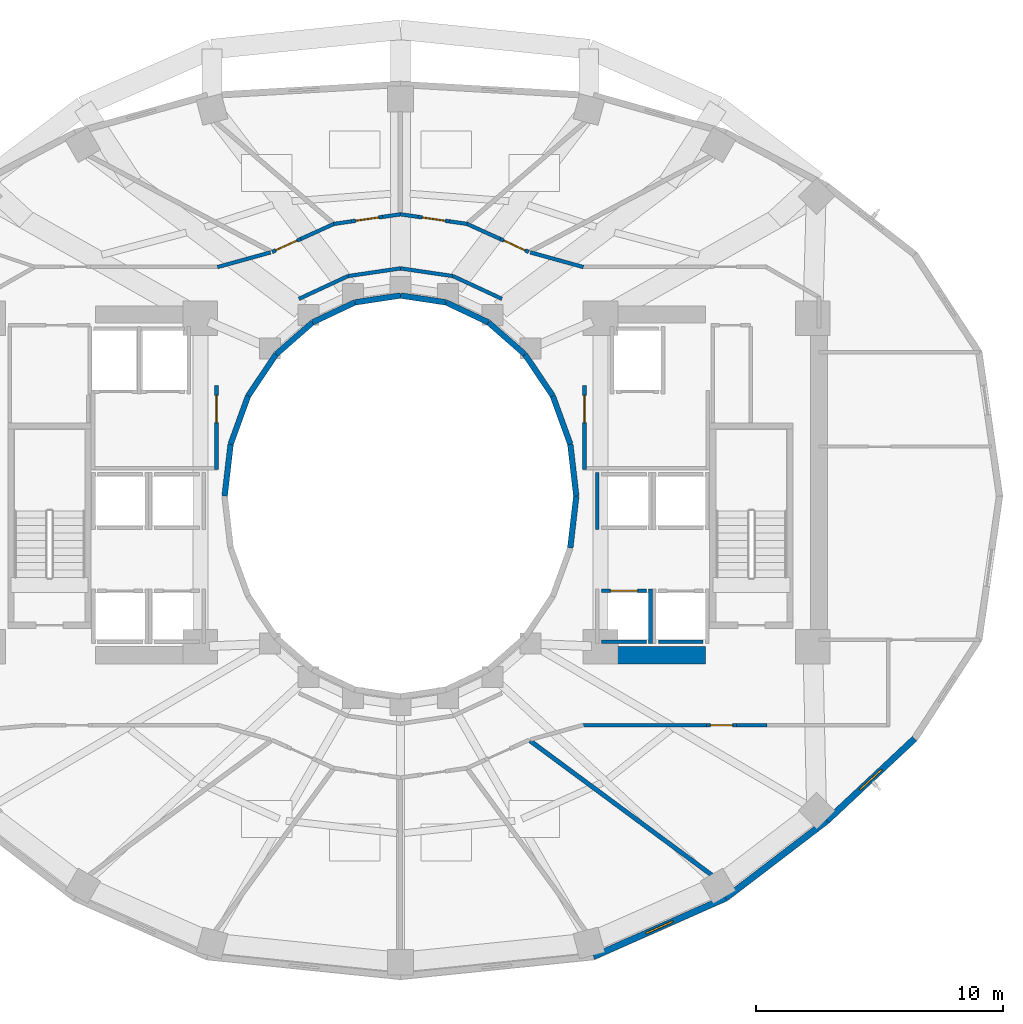
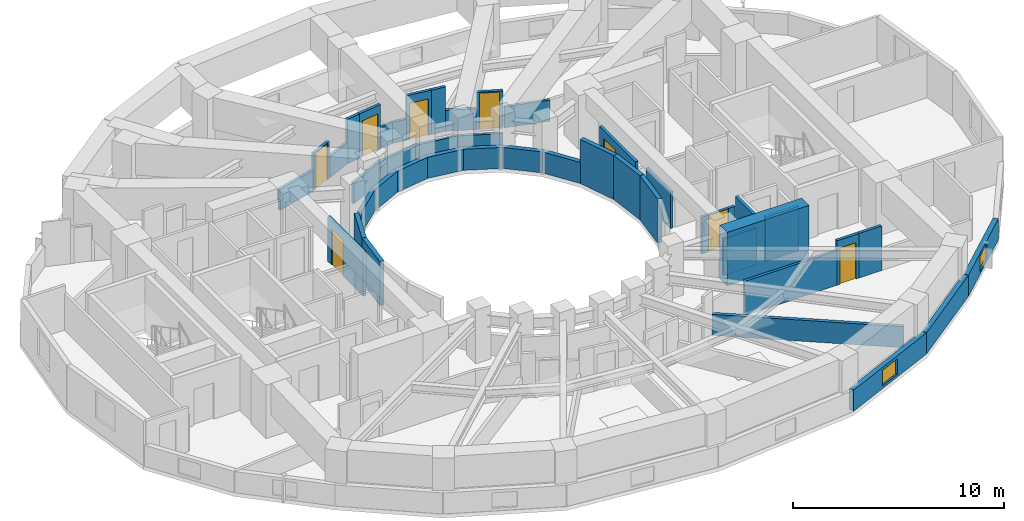
# One storey, part 5 of 10: 44 walls, 8 doors, 2 windows, 10 openings.
"""IFC4 building model written with IfcOpenShell, lengths in metres."""

from ifc_helpers import new_model, si_unit, direction, frame, frame_2d, origin, place, context, subcontext, project, spatial, rectangle, extrude, material, layer, layer_set, type_object, element, fill, save


model = new_model("IFC4")

# Units and contexts
model_context = context("Model", 3, precision=1e-05, world=origin(), true_north=direction((0.0, 1.0)))
body_context = subcontext(model_context, "Body", "Model", "MODEL_VIEW")
ifc_project = project(units=[si_unit("LENGTHUNIT", "METRE"), si_unit("AREAUNIT", "SQUARE_METRE"), si_unit("VOLUMEUNIT", "CUBIC_METRE"), si_unit("PLANEANGLEUNIT", "RADIAN"), si_unit("MASSUNIT", "GRAM", prefix="KILO")], contexts=[model_context])

# Site, building, storey
site_placement = place(None, origin())
site = spatial("IfcSite", under=ifc_project, at=site_placement, CompositionType="ELEMENT")
building_placement = place(site_placement, origin())
building = spatial("IfcBuilding", under=site, at=building_placement, Name="Solvane Sanctuary Tower", CompositionType="ELEMENT")
storey_placement = place(building_placement, frame((0.0, 0.0, 101.10009765625)))
storey = spatial("IfcBuildingStorey", under=building, at=storey_placement, Name="L30", CompositionType="ELEMENT", Elevation=101.10009765625)

# Wall
ifc_material_1 = material(Name="Concrete C60/75", Category="concrete")
ifc_layer_1 = layer(ifc_material_1, 0.699951171875, Name="Concrete C60/75")
ifc_layer_set_1 = layer_set([ifc_layer_1], Name="Concrete C60/75")
wall_type_1 = type_object("IfcWallType", Name="Wall W-CORE-700", PredefinedType="SHEAR", material=ifc_layer_set_1)
wall_1_placement = place(storey_placement, frame((39.85009765625, 16.550048828125, 0.0), z_axis=(0.0, 0.0, 1.0), x_axis=(1.0, 0.0, 0.0)))
element("IfcWall", 1, at=wall_1_placement, inside=storey, type_object=wall_type_1, Name="L30 Core Shear Wall EC-S", PredefinedType="SHEAR", context=body_context, shape_type="SweptSolid", body=[
    extrude(rectangle(XDim=4.5, YDim=0.699951171875, at=frame_2d((2.25, 0.0))), origin(), (0.0, 0.0, 1.0), 3.099853515625),
])

# Wall, opening, door
ifc_material_2 = material(Name="Acoustic Gypsum Partition Board")
ifc_layer_2 = layer(ifc_material_2, 0.14990234375, Name="Acoustic Gypsum Partition Board")
ifc_layer_set_2 = layer_set([ifc_layer_2], Name="Acoustic Gypsum Partition Board")
wall_type_2 = type_object("IfcWallType", Name="Wall W-CORR-150", PredefinedType="PARTITIONING", material=ifc_layer_set_2)
wall_2_placement = place(storey_placement, frame((24.550048828125, 24.080078125, 0.0), z_axis=(0.0, 0.0, 1.0), x_axis=(0.0, 1.0, 0.0)))
wall_2 = element("IfcWall", 2, at=wall_2_placement, inside=storey, type_object=wall_type_2, Name="L30 West Firefighting Lobby East Wall", PredefinedType="PARTITIONING", context=body_context, shape_type="SweptSolid", body=[
    extrude(rectangle(XDim=3.39990234375, YDim=0.14990234375, at=frame_2d((1.699951171875, 0.0))), origin(), (0.0, 0.0, 1.0), 2.574951171875),
])
opening_1_placement = place(wall_2_placement, frame((1.893798828125, 0.0, 0.0)))
opening_1 = element("IfcOpeningElement", 3, at=opening_1_placement, cuts=wall_2, Name="Opening D-L30-04", PredefinedType="OPENING", context=body_context, shape_type="SweptSolid", body=[
    extrude(rectangle(XDim=1.10009765625, YDim=2.10009765625, at=frame_2d((0.550048828125, 1.050048828125))), frame((0.0, 0.0849609375, 0.0), z_axis=(0.0, -1.0, 0.0), x_axis=(1.0, 0.0, 0.0)), (0.0, 0.0, 1.0), 0.169921875),
])
ifc_material_3 = material(Name="Architectural Stainless Steel 316", Category="steel")
door_type_1 = type_object("IfcDoorType", Name="Door D-FFL", OperationType="NOTDEFINED", PredefinedType="DOOR", material=ifc_material_3)
door_1_placement = place(opening_1_placement, origin())
door_1 = element("IfcDoor", 4, at=door_1_placement, inside=storey, type_object=door_type_1, Name="L30 West Firefighting Lobby Fire Door", OperationType="SINGLE_SWING_LEFT", OverallHeight=2.10009765625, OverallWidth=1.10009765625, PredefinedType="DOOR", context=body_context, shape_type="SweptSolid", body=[
    extrude(rectangle(XDim=1.10009765625, YDim=2.10009765625, at=frame_2d((0.550048828125, 1.050048828125))), frame((0.0, 0.02490234375, 0.0), z_axis=(0.0, -1.0, 0.0), x_axis=(1.0, 0.0, 0.0)), (0.0, 0.0, 1.0), 0.050048828125),
])
fill(opening_1, door_1)

wall_3_placement = place(storey_placement, frame((39.449951171875, 24.080078125, 0.0), z_axis=(0.0, 0.0, 1.0), x_axis=(0.0, 1.0, 0.0)))
wall_3 = element("IfcWall", 5, at=wall_3_placement, inside=storey, type_object=wall_type_2, Name="L30 East Firefighting Lobby West Wall", PredefinedType="PARTITIONING", context=body_context, shape_type="SweptSolid", body=[
    extrude(rectangle(XDim=3.39990234375, YDim=0.14990234375, at=frame_2d((1.699951171875, 0.0))), origin(), (0.0, 0.0, 1.0), 2.574951171875),
])
opening_2_placement = place(wall_3_placement, frame((1.893798828125, 0.0, 0.0)))
opening_2 = element("IfcOpeningElement", 6, at=opening_2_placement, cuts=wall_3, Name="Opening D-L30-05", PredefinedType="OPENING", context=body_context, shape_type="SweptSolid", body=[
    extrude(rectangle(XDim=1.10009765625, YDim=2.10009765625, at=frame_2d((0.550048828125, 1.050048828125))), frame((0.0, 0.0849609375, 0.0), z_axis=(0.0, -1.0, 0.0), x_axis=(1.0, 0.0, 0.0)), (0.0, 0.0, 1.0), 0.169921875),
])
door_2_placement = place(opening_2_placement, origin())
door_2 = element("IfcDoor", 7, at=door_2_placement, inside=storey, type_object=door_type_1, Name="L30 East Firefighting Lobby Fire Door", OperationType="SINGLE_SWING_RIGHT", OverallHeight=2.10009765625, OverallWidth=1.10009765625, PredefinedType="DOOR", context=body_context, shape_type="SweptSolid", body=[
    extrude(rectangle(XDim=1.10009765625, YDim=2.10009765625, at=frame_2d((0.550048828125, 1.050048828125))), frame((0.0, 0.02490234375, 0.0), z_axis=(0.0, -1.0, 0.0), x_axis=(1.0, 0.0, 0.0)), (0.0, 0.0, 1.0), 0.050048828125),
])
fill(opening_2, door_2)

# Walls
wall_4_placement = place(storey_placement, frame((36.110107421875, 30.98486328125, 0.0), z_axis=(0.0, 0.0, 1.0), x_axis=(-0.906943449489, 0.421252393975, 0.0)))
element("IfcWall", 8, at=wall_4_placement, inside=storey, type_object=wall_type_2, Name="L30 Light-Well Corridor Rim Wall N1", PredefinedType="PARTITIONING", context=body_context, shape_type="SweptSolid", body=[
    extrude(rectangle(XDim=2.18603515625, YDim=0.14990234375, at=frame_2d((1.093017578125, 0.0))), origin(), (0.0, 0.0, 1.0), 1.219970703125),
])
for number, where, z_axis, x_axis, name in (
    (9, (34.12744140625, 31.90576171875, 0.0), (0.0, 0.0, 1.0), (-0.989268584896, 0.146108408166, 0.0), "L30 Light-Well Corridor Rim Wall N2"),
    (10, (32.0, 32.219970703125, 0.0), (0.0, 0.0, 1.0), (-0.989268584896, -0.146108408166, 0.0), "L30 Light-Well Corridor Rim Wall N3"),
):
    element("IfcWall", number, at=place(storey_placement, frame(where, z_axis=z_axis, x_axis=x_axis)), inside=storey, type_object=wall_type_2, Name=name, PredefinedType="PARTITIONING", context=body_context, shape_type="SweptSolid", body=[
        extrude(rectangle(XDim=2.150634765625, YDim=0.14990234375, at=frame_2d((1.0751953125, 0.0))), origin(), (0.0, 0.0, 1.0), 1.219970703125),
    ])
wall_5_placement = place(storey_placement, frame((29.87255859375, 31.90576171875, 0.0), z_axis=(0.0, 0.0, 1.0), x_axis=(-0.906943449489, -0.421252393975, 0.0)))
element("IfcWall", 11, at=wall_5_placement, inside=storey, type_object=wall_type_2, Name="L30 Light-Well Corridor Rim Wall N4", PredefinedType="PARTITIONING", context=body_context, shape_type="SweptSolid", body=[
    extrude(rectangle(XDim=2.18603515625, YDim=0.14990234375, at=frame_2d((1.093017578125, 0.0))), origin(), (0.0, 0.0, 1.0), 1.219970703125),
])
for number, where, z_axis, x_axis, name in (
    (12, (37.258056640625, 32.86669921875, 0.0), (0.0, 0.0, 1.0), (0.963833843713, -0.266503886865, 0.0), "L30 NE Corner Throat Wall"),
    (13, (26.741943359375, 32.86669921875, 0.0), (0.0, 0.0, 1.0), (-0.963833843713, -0.266503886865, 0.0), "L30 NW Corner Throat Wall"),
):
    element("IfcWall", number, at=place(storey_placement, frame(where, z_axis=z_axis, x_axis=x_axis)), inside=storey, type_object=wall_type_2, Name=name, PredefinedType="PARTITIONING", context=body_context, shape_type="SweptSolid", body=[
        extrude(rectangle(XDim=2.231689453125, YDim=0.14990234375, at=frame_2d((1.11572265625, 0.0))), origin(), (0.0, 0.0, 1.0), 1.219970703125),
    ])
wall_6_placement = place(storey_placement, frame((39.330078125, 13.719970703125, 0.0), z_axis=(0.0, 0.0, 1.0), x_axis=(1.0, 0.0, 0.0)))
element("IfcWall", 14, at=wall_6_placement, inside=storey, type_object=wall_type_2, Name="L30 SE Corner Corridor Wall", PredefinedType="PARTITIONING", context=body_context, shape_type="SweptSolid", body=[
    extrude(rectangle(XDim=5.059814453125, YDim=0.14990234375, at=frame_2d((2.52978515625, 0.0))), origin(), (0.0, 0.0, 1.0), 1.991943359375),
])

# Wall, opening, door
wall_7_placement = place(storey_placement, frame((44.389892578125, 13.719970703125, 0.0), z_axis=(0.0, 0.0, 1.0), x_axis=(1.0, 0.0, 0.0)))
wall_7 = element("IfcWall", 15, at=wall_7_placement, inside=storey, type_object=wall_type_2, Name="L30 SE Corner Corridor Wall", PredefinedType="PARTITIONING", context=body_context, shape_type="SweptSolid", body=[
    extrude(rectangle(XDim=1.22021484375, YDim=0.14990234375, at=frame_2d((0.610107421875, 0.0))), origin(), (0.0, 0.0, 1.0), 2.574951171875),
])
opening_3_placement = place(wall_7_placement, frame((0.159912109375, 0.0, 0.0)))
opening_3 = element("IfcOpeningElement", 16, at=opening_3_placement, cuts=wall_7, Name="Opening D-L30-15", PredefinedType="OPENING", context=body_context, shape_type="SweptSolid", body=[
    extrude(rectangle(XDim=0.89990234375, YDim=2.10009765625, at=frame_2d((0.449951171875, 1.050048828125))), frame((0.0, 0.0849609375, 0.0), z_axis=(0.0, -1.0, 0.0), x_axis=(1.0, 0.0, 0.0)), (0.0, 0.0, 1.0), 0.169921875),
])
ifc_material_4 = material(Name="Engineered Tropical Hardwood", Category="wood")
door_type_2 = type_object("IfcDoorType", Name="Door D-WET-900", OperationType="NOTDEFINED", PredefinedType="DOOR", material=ifc_material_4)
door_3_placement = place(opening_3_placement, origin())
door_3 = element("IfcDoor", 17, at=door_3_placement, inside=storey, type_object=door_type_2, Name="L30 SE Corner Salon Door", OperationType="SINGLE_SWING_RIGHT", OverallHeight=2.10009765625, OverallWidth=0.89990234375, PredefinedType="DOOR", context=body_context, shape_type="SweptSolid", body=[
    extrude(rectangle(XDim=0.89990234375, YDim=2.10009765625, at=frame_2d((0.449951171875, 1.050048828125))), frame((0.0, 0.02490234375, 0.0), z_axis=(0.0, -1.0, 0.0), x_axis=(1.0, 0.0, 0.0)), (0.0, 0.0, 1.0), 0.050048828125),
])
fill(opening_3, door_3)

# Wall
wall_8_placement = place(storey_placement, frame((45.610107421875, 13.719970703125, 0.0), z_axis=(0.0, 0.0, 1.0), x_axis=(1.0, 0.0, 0.0)))
element("IfcWall", 18, at=wall_8_placement, inside=storey, type_object=wall_type_2, Name="L30 SE Corner Corridor Wall", PredefinedType="PARTITIONING", context=body_context, shape_type="SweptSolid", body=[
    extrude(rectangle(XDim=1.239990234375, YDim=0.14990234375, at=frame_2d((0.6201171875, 0.0))), origin(), (0.0, 0.0, 1.0), 2.574951171875),
])

# Wall, opening, door
wall_9_placement = place(storey_placement, frame((37.1962890625, 32.88427734375, 0.0), z_axis=(0.0, 0.0, 1.0), x_axis=(-0.910596749825, 0.413295970472, 0.0)))
wall_9 = element("IfcWall", 19, at=wall_9_placement, inside=storey, type_object=wall_type_2, Name="L30 Unit Corridor Wall N1", PredefinedType="PARTITIONING", context=body_context, shape_type="SweptSolid", body=[
    extrude(rectangle(XDim=1.27001953125, YDim=0.14990234375, at=frame_2d((0.635009765625, 0.0))), origin(), (0.0, 0.0, 1.0), 2.159912109375),
])
opening_4_placement = place(wall_9_placement, frame((0.159912109375, 0.0, 0.0)))
opening_4 = element("IfcOpeningElement", 20, at=opening_4_placement, cuts=wall_9, Name="Opening D-L30-16", PredefinedType="OPENING", context=body_context, shape_type="SweptSolid", body=[
    extrude(rectangle(XDim=0.949951171875, YDim=2.10009765625, at=frame_2d((0.47509765625, 1.050048828125))), frame((0.0, 0.0849609375, 0.0), z_axis=(0.0, -1.0, 0.0), x_axis=(1.0, 0.0, 0.0)), (0.0, 0.0, 1.0), 0.169921875),
])
door_type_3 = type_object("IfcDoorType", Name="Door D-ROOM-950", OperationType="NOTDEFINED", PredefinedType="DOOR", material=ifc_material_4)
door_4_placement = place(opening_4_placement, origin())
door_4 = element("IfcDoor", 21, at=door_4_placement, inside=storey, type_object=door_type_3, Name="L30 Unit Entrance Door N1", OperationType="SINGLE_SWING_LEFT", OverallHeight=2.10009765625, OverallWidth=0.949951171875, PredefinedType="DOOR", context=body_context, shape_type="SweptSolid", body=[
    extrude(rectangle(XDim=0.949951171875, YDim=2.10009765625, at=frame_2d((0.47509765625, 1.050048828125))), frame((0.0, 0.02490234375, 0.0), z_axis=(0.0, -1.0, 0.0), x_axis=(1.0, 0.0, 0.0)), (0.0, 0.0, 1.0), 0.050048828125),
])
fill(opening_4, door_4)

# Walls
wall_10_placement = place(storey_placement, frame((36.039794921875, 33.4091796875, 0.0), z_axis=(0.0, 0.0, 1.0), x_axis=(-0.910563383081, 0.41336947806, 0.0)))
element("IfcWall", 22, at=wall_10_placement, inside=storey, type_object=wall_type_2, Name="L30 Unit Corridor Wall N1", PredefinedType="PARTITIONING", context=body_context, shape_type="SweptSolid", body=[
    extrude(rectangle(XDim=1.4853515625, YDim=0.14990234375, at=frame_2d((0.74267578125, 0.0))), origin(), (0.0, 0.0, 1.0), 1.219970703125),
])
wall_11_placement = place(storey_placement, frame((34.701416015625, 34.01904296875, 0.0), z_axis=(0.0, 0.0, 1.0), x_axis=(-0.98974875873, 0.142819447526, 0.0)))
element("IfcWall", 23, at=wall_11_placement, inside=storey, type_object=wall_type_2, Name="L30 Unit Corridor Wall N2", PredefinedType="PARTITIONING", context=body_context, shape_type="SweptSolid", body=[
    extrude(rectangle(XDim=0.7333984375, YDim=0.14990234375, at=frame_2d((0.36669921875, 0.0))), origin(), (0.0, 0.0, 1.0), 2.574951171875),
])

# Wall, opening, door
wall_12_placement = place(storey_placement, frame((33.9755859375, 34.123779296875, 0.0), z_axis=(0.0, 0.0, 1.0), x_axis=(-0.98974859422, 0.142820587591, 0.0)))
wall_12 = element("IfcWall", 24, at=wall_12_placement, inside=storey, type_object=wall_type_2, Name="L30 Unit Corridor Wall N2", PredefinedType="PARTITIONING", context=body_context, shape_type="SweptSolid", body=[
    extrude(rectangle(XDim=1.27001953125, YDim=0.14990234375, at=frame_2d((0.635009765625, 0.0))), origin(), (0.0, 0.0, 1.0), 2.574951171875),
])
opening_5_placement = place(wall_12_placement, frame((0.159912109375, 0.0, 0.0)))
opening_5 = element("IfcOpeningElement", 25, at=opening_5_placement, cuts=wall_12, Name="Opening D-L30-17", PredefinedType="OPENING", context=body_context, shape_type="SweptSolid", body=[
    extrude(rectangle(XDim=0.949951171875, YDim=2.10009765625, at=frame_2d((0.47509765625, 1.050048828125))), frame((0.0, 0.0849609375, 0.0), z_axis=(0.0, -1.0, 0.0), x_axis=(1.0, 0.0, 0.0)), (0.0, 0.0, 1.0), 0.169921875),
])
door_5_placement = place(opening_5_placement, origin())
door_5 = element("IfcDoor", 26, at=door_5_placement, inside=storey, type_object=door_type_3, Name="L30 Unit Entrance Door N2", OperationType="SINGLE_SWING_RIGHT", OverallHeight=2.10009765625, OverallWidth=0.949951171875, PredefinedType="DOOR", context=body_context, shape_type="SweptSolid", body=[
    extrude(rectangle(XDim=0.949951171875, YDim=2.10009765625, at=frame_2d((0.47509765625, 1.050048828125))), frame((0.0, 0.02490234375, 0.0), z_axis=(0.0, -1.0, 0.0), x_axis=(1.0, 0.0, 0.0)), (0.0, 0.0, 1.0), 0.050048828125),
])
fill(opening_5, door_5)

# Walls
for number, where, z_axis, x_axis, name in (
    (27, (32.718505859375, 34.30517578125, 0.0), (0.0, 0.0, 1.0), (-0.98974875873, 0.142819447526, 0.0), "L30 Unit Corridor Wall N2"),
    (28, (32.00732421875, 34.409912109375, 0.0), (0.0, 0.0, 1.0), (-0.989795766197, -0.142493302365, 0.0), "L30 Unit Corridor Wall N3"),
):
    element("IfcWall", number, at=place(storey_placement, frame(where, z_axis=z_axis, x_axis=x_axis)), inside=storey, type_object=wall_type_2, Name=name, PredefinedType="PARTITIONING", context=body_context, shape_type="SweptSolid", body=[
        extrude(rectangle(XDim=0.7333984375, YDim=0.14990234375, at=frame_2d((0.36669921875, 0.0))), origin(), (0.0, 0.0, 1.0), 1.219970703125),
    ])

# Wall, opening, door
wall_13_placement = place(storey_placement, frame((31.281494140625, 34.305419921875, 0.0), z_axis=(0.0, 0.0, 1.0), x_axis=(-0.989721405299, -0.14300888047, 0.0)))
wall_13 = element("IfcWall", 29, at=wall_13_placement, inside=storey, type_object=wall_type_2, Name="L30 Unit Corridor Wall N3", PredefinedType="PARTITIONING", context=body_context, shape_type="SweptSolid", body=[
    extrude(rectangle(XDim=1.27001953125, YDim=0.14990234375, at=frame_2d((0.635009765625, 0.0))), origin(), (0.0, 0.0, 1.0), 2.574951171875),
])
opening_6_placement = place(wall_13_placement, frame((0.159912109375, 0.0, 0.0)))
opening_6 = element("IfcOpeningElement", 30, at=opening_6_placement, cuts=wall_13, Name="Opening D-L30-18", PredefinedType="OPENING", context=body_context, shape_type="SweptSolid", body=[
    extrude(rectangle(XDim=0.949951171875, YDim=2.10009765625, at=frame_2d((0.47509765625, 1.050048828125))), frame((0.0, 0.0849609375, 0.0), z_axis=(0.0, -1.0, 0.0), x_axis=(1.0, 0.0, 0.0)), (0.0, 0.0, 1.0), 0.169921875),
])
door_6_placement = place(opening_6_placement, origin())
door_6 = element("IfcDoor", 31, at=door_6_placement, inside=storey, type_object=door_type_3, Name="L30 Unit Entrance Door N3", OperationType="SINGLE_SWING_LEFT", OverallHeight=2.10009765625, OverallWidth=0.949951171875, PredefinedType="DOOR", context=body_context, shape_type="SweptSolid", body=[
    extrude(rectangle(XDim=0.949951171875, YDim=2.10009765625, at=frame_2d((0.47509765625, 1.050048828125))), frame((0.0, 0.02490234375, 0.0), z_axis=(0.0, -1.0, 0.0), x_axis=(1.0, 0.0, 0.0)), (0.0, 0.0, 1.0), 0.050048828125),
])
fill(opening_6, door_6)

# Walls
wall_14_placement = place(storey_placement, frame((30.0244140625, 34.123779296875, 0.0), z_axis=(0.0, 0.0, 1.0), x_axis=(-0.98974875873, -0.142819447526, 0.0)))
element("IfcWall", 32, at=wall_14_placement, inside=storey, type_object=wall_type_2, Name="L30 Unit Corridor Wall N3", PredefinedType="PARTITIONING", context=body_context, shape_type="SweptSolid", body=[
    extrude(rectangle(XDim=0.7333984375, YDim=0.14990234375, at=frame_2d((0.36669921875, 0.0))), origin(), (0.0, 0.0, 1.0), 2.574951171875),
])
wall_15_placement = place(storey_placement, frame((29.312744140625, 34.023193359375, 0.0), z_axis=(0.0, 0.0, 1.0), x_axis=(-0.910563383081, -0.41336947806, 0.0)))
element("IfcWall", 33, at=wall_15_placement, inside=storey, type_object=wall_type_2, Name="L30 Unit Corridor Wall N4", PredefinedType="PARTITIONING", context=body_context, shape_type="SweptSolid", body=[
    extrude(rectangle(XDim=1.4853515625, YDim=0.14990234375, at=frame_2d((0.74267578125, 0.0))), origin(), (0.0, 0.0, 1.0), 1.219970703125),
])

# Wall, opening, door
wall_16_placement = place(storey_placement, frame((27.960205078125, 33.4091796875, 0.0), z_axis=(0.0, 0.0, 1.0), x_axis=(-0.910596749825, -0.413295970472, 0.0)))
wall_16 = element("IfcWall", 34, at=wall_16_placement, inside=storey, type_object=wall_type_2, Name="L30 Unit Corridor Wall N4", PredefinedType="PARTITIONING", context=body_context, shape_type="SweptSolid", body=[
    extrude(rectangle(XDim=1.27001953125, YDim=0.14990234375, at=frame_2d((0.635009765625, 0.0))), origin(), (0.0, 0.0, 1.0), 2.159912109375),
])
opening_7_placement = place(wall_16_placement, frame((0.159912109375, 0.0, 0.0)))
opening_7 = element("IfcOpeningElement", 35, at=opening_7_placement, cuts=wall_16, Name="Opening D-L30-19", PredefinedType="OPENING", context=body_context, shape_type="SweptSolid", body=[
    extrude(rectangle(XDim=0.949951171875, YDim=2.10009765625, at=frame_2d((0.47509765625, 1.050048828125))), frame((0.0, 0.0849609375, 0.0), z_axis=(0.0, -1.0, 0.0), x_axis=(1.0, 0.0, 0.0)), (0.0, 0.0, 1.0), 0.169921875),
])
door_7_placement = place(opening_7_placement, origin())
door_7 = element("IfcDoor", 36, at=door_7_placement, inside=storey, type_object=door_type_3, Name="L30 Unit Entrance Door N4", OperationType="SINGLE_SWING_RIGHT", OverallHeight=2.10009765625, OverallWidth=0.949951171875, PredefinedType="DOOR", context=body_context, shape_type="SweptSolid", body=[
    extrude(rectangle(XDim=0.949951171875, YDim=2.10009765625, at=frame_2d((0.47509765625, 1.050048828125))), frame((0.0, 0.02490234375, 0.0), z_axis=(0.0, -1.0, 0.0), x_axis=(1.0, 0.0, 0.0)), (0.0, 0.0, 1.0), 0.050048828125),
])
fill(opening_7, door_7)

# Wall, opening, window
ifc_material_5 = material(Name="Precast concrete C40/50", Category="concrete")
ifc_layer_3 = layer(ifc_material_5, 0.260009765625, Name="Precast concrete C40/50")
ifc_layer_set_3 = layer_set([ifc_layer_3], Name="Precast concrete C40/50")
wall_type_3 = type_object("IfcWallType", Name="Wall W-EXT-250", PredefinedType="STANDARD", material=ifc_layer_set_3)
wall_17_placement = place(storey_placement, frame((39.81640625, 4.349365234375, 0.0), z_axis=(0.0, 0.0, 1.0), x_axis=(0.914336605747, 0.404955023911, 0.0)))
wall_17 = element("IfcWall", 37, at=wall_17_placement, inside=storey, type_object=wall_type_3, Name="L30 Ceramic-Printed Facade Wall 19", PredefinedType="STANDARD", context=body_context, shape_type="SweptSolid", body=[
    extrude(rectangle(XDim=5.85888671875, YDim=0.260009765625, at=frame_2d((2.929443359375, 0.0))), origin(), (0.0, 0.0, 1.0), 1.219970703125),
])
opening_8_placement = place(wall_17_placement, frame((2.329345703125, 0.0, 0.14990234375)))
opening_8 = element("IfcOpeningElement", 38, at=opening_8_placement, cuts=wall_17, Name="Opening WN-OPER-1200", PredefinedType="OPENING", context=body_context, shape_type="SweptSolid", body=[
    extrude(rectangle(XDim=1.199951171875, YDim=0.89990234375, at=frame_2d((0.60009765625, 0.449951171875))), frame((0.0, 0.139892578125, 0.0), z_axis=(0.0, -1.0, 0.0), x_axis=(1.0, 0.0, 0.0)), (0.0, 0.0, 1.0), 0.280029296875),
])
ifc_material_6 = material(Name="Dark Ceramic-Fritted Low-E Glass", Category="glass")
window_type = type_object("IfcWindowType", Name="Window WN-OPER-1200", PartitioningType="SINGLE_PANEL", PredefinedType="WINDOW", material=ifc_material_6)
window_1_placement = place(opening_8_placement, origin())
window_1 = element("IfcWindow", 39, at=window_1_placement, inside=storey, type_object=window_type, Name="L30 Operable Facade Window 19", OverallHeight=0.89990234375, OverallWidth=1.199951171875, PartitioningType="SINGLE_PANEL", PredefinedType="WINDOW", context=body_context, shape_type="SweptSolid", body=[
    extrude(rectangle(XDim=1.199951171875, YDim=0.89990234375, at=frame_2d((0.60009765625, 0.449951171875))), frame((0.0, 0.030029296875, 0.0), z_axis=(0.0, -1.0, 0.0), x_axis=(1.0, 0.0, 0.0)), (0.0, 0.0, 1.0), 0.06005859375),
])
fill(opening_8, window_1)

# Wall
wall_18_placement = place(storey_placement, frame((45.17333984375, 6.721923828125, 0.0), z_axis=(0.0, 0.0, 1.0), x_axis=(0.794809810864, 0.606858603427, 0.0)))
element("IfcWall", 40, at=wall_18_placement, inside=storey, type_object=wall_type_3, Name="L30 Ceramic-Printed Facade Wall 20", PredefinedType="STANDARD", context=body_context, shape_type="SweptSolid", body=[
    extrude(rectangle(XDim=5.149169921875, YDim=0.260009765625, at=frame_2d((2.57470703125, 0.0))), origin(), (0.0, 0.0, 1.0), 1.219970703125),
])

# Wall, opening, window
wall_19_placement = place(storey_placement, frame((49.265869140625, 9.8466796875, 0.0), z_axis=(0.0, 0.0, 1.0), x_axis=(0.730162452258, 0.68327358599, 0.0)))
wall_19 = element("IfcWall", 41, at=wall_19_placement, inside=storey, type_object=wall_type_3, Name="L30 Ceramic-Printed Facade Wall 21", PredefinedType="STANDARD", context=body_context, shape_type="SweptSolid", body=[
    extrude(rectangle(XDim=4.868408203125, YDim=0.260009765625, at=frame_2d((2.43408203125, 0.0))), origin(), (0.0, 0.0, 1.0), 1.219970703125),
])
opening_9_placement = place(wall_19_placement, frame((1.834228515625, 0.0, 0.14990234375)))
opening_9 = element("IfcOpeningElement", 42, at=opening_9_placement, cuts=wall_19, Name="Opening WN-OPER-1200", PredefinedType="OPENING", context=body_context, shape_type="SweptSolid", body=[
    extrude(rectangle(XDim=1.199951171875, YDim=0.89990234375, at=frame_2d((0.60009765625, 0.449951171875))), frame((0.0, 0.139892578125, 0.0), z_axis=(0.0, -1.0, 0.0), x_axis=(1.0, 0.0, 0.0)), (0.0, 0.0, 1.0), 0.280029296875),
])
window_2_placement = place(opening_9_placement, origin())
window_2 = element("IfcWindow", 43, at=window_2_placement, inside=storey, type_object=window_type, Name="L30 Operable Facade Window 21", OverallHeight=0.89990234375, OverallWidth=1.199951171875, PartitioningType="SINGLE_PANEL", PredefinedType="WINDOW", context=body_context, shape_type="SweptSolid", body=[
    extrude(rectangle(XDim=1.199951171875, YDim=0.89990234375, at=frame_2d((0.60009765625, 0.449951171875))), frame((0.0, 0.030029296875, 0.0), z_axis=(0.0, -1.0, 0.0), x_axis=(1.0, 0.0, 0.0)), (0.0, 0.0, 1.0), 0.06005859375),
])
fill(opening_9, window_2)

# Walls
ifc_layer_4 = layer(ifc_material_5, 0.22998046875, Name="Precast concrete C40/50")
ifc_layer_set_4 = layer_set([ifc_layer_4], Name="Precast concrete C40/50")
wall_type_4 = type_object("IfcWallType", Name="Wall W-EXT-SP220", PredefinedType="STANDARD", material=ifc_layer_set_4)
wall_20_placement = place(storey_placement, frame((39.1201171875, 23.0, 0.0), z_axis=(0.0, 0.0, 1.0), x_axis=(-0.114711713601, 0.993398823617, 0.0)))
element("IfcWall", 44, at=wall_20_placement, inside=storey, type_object=wall_type_4, Name="L30 Central Light-Well Wall 00", PredefinedType="STANDARD", context=body_context, shape_type="SweptSolid", body=[
    extrude(rectangle(XDim=2.115478515625, YDim=0.22998046875, at=frame_2d((1.0576171875, 0.0))), origin(), (0.0, 0.0, 1.0), 2.559814453125),
])
wall_21_placement = place(storey_placement, frame((38.87744140625, 25.1015625, 0.0), z_axis=(0.0, 0.0, 1.0), x_axis=(-0.341423187295, 0.93990968033, 0.0)))
element("IfcWall", 45, at=wall_21_placement, inside=storey, type_object=wall_type_4, Name="L30 Central Light-Well Wall 01", PredefinedType="STANDARD", context=body_context, shape_type="SweptSolid", body=[
    extrude(rectangle(XDim=2.083740234375, YDim=0.22998046875, at=frame_2d((1.0419921875, 0.0))), origin(), (0.0, 0.0, 1.0), 2.559814453125),
])
wall_22_placement = place(storey_placement, frame((38.166015625, 27.06005859375, 0.0), z_axis=(0.0, 0.0, 1.0), x_axis=(-0.558197800898, 0.829707909492, 0.0)))
element("IfcWall", 46, at=wall_22_placement, inside=storey, type_object=wall_type_4, Name="L30 Central Light-Well Wall 02", PredefinedType="STANDARD", context=body_context, shape_type="SweptSolid", body=[
    extrude(rectangle(XDim=2.02685546875, YDim=0.22998046875, at=frame_2d((1.013427734375, 0.0))), origin(), (0.0, 0.0, 1.0), 1.219970703125),
])
wall_23_placement = place(storey_placement, frame((37.03466796875, 28.74169921875, 0.0), z_axis=(0.0, 0.0, 1.0), x_axis=(-0.752576694707, 0.658504607869, 0.0)))
element("IfcWall", 47, at=wall_23_placement, inside=storey, type_object=wall_type_4, Name="L30 Central Light-Well Wall 03", PredefinedType="STANDARD", context=body_context, shape_type="SweptSolid", body=[
    extrude(rectangle(XDim=1.95947265625, YDim=0.22998046875, at=frame_2d((0.979736328125, 0.0))), origin(), (0.0, 0.0, 1.0), 1.219970703125),
])
wall_24_placement = place(storey_placement, frame((35.56005859375, 30.031982421875, 0.0), z_axis=(0.0, 0.0, 1.0), x_axis=(-0.904179699603, 0.427152280606, 0.0)))
element("IfcWall", 48, at=wall_24_placement, inside=storey, type_object=wall_type_4, Name="L30 Central Light-Well Wall 04", PredefinedType="STANDARD", context=body_context, shape_type="SweptSolid", body=[
    extrude(rectangle(XDim=1.899169921875, YDim=0.22998046875, at=frame_2d((0.94970703125, 0.0))), origin(), (0.0, 0.0, 1.0), 1.219970703125),
])
for number, where, z_axis, x_axis, name in (
    (49, (33.8427734375, 30.84326171875, 0.0), (0.0, 0.0, 1.0), (-0.988901730308, 0.148571086668, 0.0), "L30 Central Light-Well Wall 05"),
    (50, (32.0, 31.1201171875, 0.0), (0.0, 0.0, 1.0), (-0.988901730308, -0.148571086668, 0.0), "L30 Central Light-Well Wall 06"),
):
    element("IfcWall", number, at=place(storey_placement, frame(where, z_axis=z_axis, x_axis=x_axis)), inside=storey, type_object=wall_type_4, Name=name, PredefinedType="STANDARD", context=body_context, shape_type="SweptSolid", body=[
        extrude(rectangle(XDim=1.863525390625, YDim=0.22998046875, at=frame_2d((0.931640625, 0.0))), origin(), (0.0, 0.0, 1.0), 1.219970703125),
    ])
wall_25_placement = place(storey_placement, frame((30.1572265625, 30.84326171875, 0.0), z_axis=(0.0, 0.0, 1.0), x_axis=(-0.904179699603, -0.427152280606, 0.0)))
element("IfcWall", 51, at=wall_25_placement, inside=storey, type_object=wall_type_4, Name="L30 Central Light-Well Wall 07", PredefinedType="STANDARD", context=body_context, shape_type="SweptSolid", body=[
    extrude(rectangle(XDim=1.899169921875, YDim=0.22998046875, at=frame_2d((0.94970703125, 0.0))), origin(), (0.0, 0.0, 1.0), 1.219970703125),
])
wall_26_placement = place(storey_placement, frame((28.43994140625, 30.031982421875, 0.0), z_axis=(0.0, 0.0, 1.0), x_axis=(-0.752576694707, -0.658504607869, 0.0)))
element("IfcWall", 52, at=wall_26_placement, inside=storey, type_object=wall_type_4, Name="L30 Central Light-Well Wall 08", PredefinedType="STANDARD", context=body_context, shape_type="SweptSolid", body=[
    extrude(rectangle(XDim=1.95947265625, YDim=0.22998046875, at=frame_2d((0.979736328125, 0.0))), origin(), (0.0, 0.0, 1.0), 1.219970703125),
])
wall_27_placement = place(storey_placement, frame((26.96533203125, 28.74169921875, 0.0), z_axis=(0.0, 0.0, 1.0), x_axis=(-0.558197800898, -0.829707909492, 0.0)))
element("IfcWall", 53, at=wall_27_placement, inside=storey, type_object=wall_type_4, Name="L30 Central Light-Well Wall 09", PredefinedType="STANDARD", context=body_context, shape_type="SweptSolid", body=[
    extrude(rectangle(XDim=2.02685546875, YDim=0.22998046875, at=frame_2d((1.013427734375, 0.0))), origin(), (0.0, 0.0, 1.0), 1.219970703125),
])
wall_28_placement = place(storey_placement, frame((25.833984375, 27.06005859375, 0.0), z_axis=(0.0, 0.0, 1.0), x_axis=(-0.341423187295, -0.93990968033, 0.0)))
element("IfcWall", 54, at=wall_28_placement, inside=storey, type_object=wall_type_4, Name="L30 Central Light-Well Wall 10", PredefinedType="STANDARD", context=body_context, shape_type="SweptSolid", body=[
    extrude(rectangle(XDim=2.083740234375, YDim=0.22998046875, at=frame_2d((1.0419921875, 0.0))), origin(), (0.0, 0.0, 1.0), 2.559814453125),
])
for number, where, z_axis, x_axis, name in (
    (55, (25.12255859375, 25.1015625, 0.0), (0.0, 0.0, 1.0), (-0.114711713601, -0.993398823617, 0.0), "L30 Central Light-Well Wall 11"),
    (56, (38.87744140625, 20.8984375, 0.0), (0.0, 0.0, 1.0), (0.114711713601, 0.993398823617, 0.0), "L30 Central Light-Well Wall 23"),
):
    element("IfcWall", number, at=place(storey_placement, frame(where, z_axis=z_axis, x_axis=x_axis)), inside=storey, type_object=wall_type_4, Name=name, PredefinedType="STANDARD", context=body_context, shape_type="SweptSolid", body=[
        extrude(rectangle(XDim=2.115478515625, YDim=0.22998046875, at=frame_2d((1.0576171875, 0.0))), origin(), (0.0, 0.0, 1.0), 2.559814453125),
    ])

# Wall, opening, door
ifc_material_7 = material(Name="Concrete C50/60", Category="concrete")
ifc_layer_5 = layer(ifc_material_7, 0.14990234375, Name="Concrete C50/60")
ifc_layer_set_5 = layer_set([ifc_layer_5], Name="Concrete C50/60")
wall_type_5 = type_object("IfcWallType", Name="Wall W-SHAFT-150", PredefinedType="SOLIDWALL", material=ifc_layer_set_5)
wall_29_placement = place(storey_placement, frame((40.139892578125, 19.159912109375, 0.0), z_axis=(0.0, 0.0, 1.0), x_axis=(1.0, 0.0, 0.0)))
wall_29 = element("IfcWall", 57, at=wall_29_placement, inside=storey, type_object=wall_type_5, Name="L30 PL-3 Lift Shaft Wall F", PredefinedType="SOLIDWALL", context=body_context, shape_type="SweptSolid", body=[
    extrude(rectangle(XDim=1.820068359375, YDim=0.14990234375, at=frame_2d((0.91015625, 0.0))), origin(), (0.0, 0.0, 1.0), 2.119873046875),
])
opening_10_placement = place(wall_29_placement, frame((0.360107421875, 0.0, 0.0)))
opening_10 = element("IfcOpeningElement", 58, at=opening_10_placement, cuts=wall_29, Name="Opening LD-L30-03", PredefinedType="OPENING", context=body_context, shape_type="SweptSolid", body=[
    extrude(rectangle(XDim=1.10009765625, YDim=2.10009765625, at=frame_2d((0.550048828125, 1.050048828125))), frame((0.0, 0.0849609375, 0.0), z_axis=(0.0, -1.0, 0.0), x_axis=(1.0, 0.0, 0.0)), (0.0, 0.0, 1.0), 0.169921875),
])
door_type_4 = type_object("IfcDoorType", Name="Door LD-PASS-1100", OperationType="NOTDEFINED", PredefinedType="DOOR", material=ifc_material_3)
door_8_placement = place(opening_10_placement, origin())
door_8 = element("IfcDoor", 59, at=door_8_placement, inside=storey, type_object=door_type_4, Name="L30 PL-3 Lift Landing Door", OperationType="DOUBLE_DOOR_SLIDING", OverallHeight=2.10009765625, OverallWidth=1.10009765625, PredefinedType="DOOR", context=body_context, shape_type="SweptSolid", body=[
    extrude(rectangle(XDim=1.10009765625, YDim=2.10009765625, at=frame_2d((0.550048828125, 1.050048828125))), frame((0.0, 0.02490234375, 0.0), z_axis=(0.0, -1.0, 0.0), x_axis=(1.0, 0.0, 0.0)), (0.0, 0.0, 1.0), 0.050048828125),
])
fill(opening_10, door_8)

# Walls
wall_30_placement = place(storey_placement, frame((40.139892578125, 17.10009765625, 0.0), z_axis=(0.0, 0.0, 1.0), x_axis=(1.0, 0.0, 0.0)))
element("IfcWall", 60, at=wall_30_placement, inside=storey, type_object=wall_type_5, Name="L30 PL-3 Lift Shaft Wall B", PredefinedType="SOLIDWALL", context=body_context, shape_type="SweptSolid", body=[
    extrude(rectangle(XDim=1.820068359375, YDim=0.14990234375, at=frame_2d((0.91015625, 0.0))), origin(), (0.0, 0.0, 1.0), 2.119873046875),
])
wall_31_placement = place(storey_placement, frame((42.1298828125, 17.02001953125, 0.0), z_axis=(0.0, 0.0, 1.0), x_axis=(0.0, 1.0, 0.0)))
element("IfcWall", 61, at=wall_31_placement, inside=storey, type_object=wall_type_5, Name="L30 PL-3 Lift Shaft Wall S2", PredefinedType="SOLIDWALL", context=body_context, shape_type="SweptSolid", body=[
    extrude(rectangle(XDim=2.219970703125, YDim=0.14990234375, at=frame_2d((1.10986328125, 0.0))), origin(), (0.0, 0.0, 1.0), 2.574951171875),
])
wall_32_placement = place(storey_placement, frame((42.43994140625, 17.10009765625, 0.0), z_axis=(0.0, 0.0, 1.0), x_axis=(1.0, 0.0, 0.0)))
element("IfcWall", 62, at=wall_32_placement, inside=storey, type_object=wall_type_5, Name="L30 PL-4 Lift Shaft Wall B", PredefinedType="SOLIDWALL", context=body_context, shape_type="SweptSolid", body=[
    extrude(rectangle(XDim=1.820068359375, YDim=0.14990234375, at=frame_2d((0.91015625, 0.0))), origin(), (0.0, 0.0, 1.0), 2.574951171875),
])
wall_33_placement = place(storey_placement, frame((39.969970703125, 21.639892578125, 0.0), z_axis=(0.0, 0.0, 1.0), x_axis=(0.0, 1.0, 0.0)))
element("IfcWall", 63, at=wall_33_placement, inside=storey, type_object=wall_type_5, Name="L30 PH-2 Lift Shaft Wall S1", PredefinedType="SOLIDWALL", context=body_context, shape_type="SweptSolid", body=[
    extrude(rectangle(XDim=2.320068359375, YDim=0.14990234375, at=frame_2d((1.16015625, 0.0))), origin(), (0.0, 0.0, 1.0), 2.119873046875),
])
ifc_layer_6 = layer(ifc_material_2, 0.179931640625, Name="Acoustic Gypsum Partition Board")
ifc_layer_set_6 = layer_set([ifc_layer_6], Name="Acoustic Gypsum Partition Board")
wall_type_6 = type_object("IfcWallType", Name="Wall W-UNIT-180", PredefinedType="PARTITIONING", material=ifc_layer_set_6)
wall_34_placement = place(storey_placement, frame((37.249267578125, 13.0859375, 0.0), z_axis=(0.0, 0.0, 1.0), x_axis=(0.80430981394, -0.594210167533, 0.0)))
element("IfcWall", 64, at=wall_34_placement, inside=storey, type_object=wall_type_6, Name="L30 Radial Compartment Wall 300", PredefinedType="PARTITIONING", context=body_context, shape_type="SweptSolid", body=[
    extrude(rectangle(XDim=9.146240234375, YDim=0.179931640625, at=frame_2d((4.5732421875, 0.0))), origin(), (0.0, 0.0, 1.0), 1.219970703125),
])

save(model, "model.ifc")
